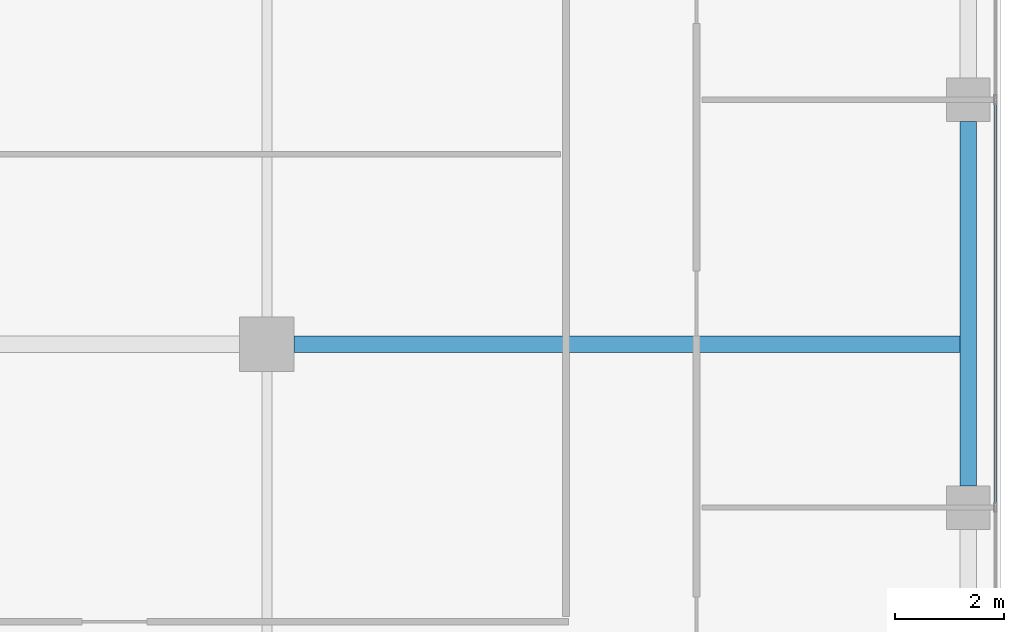
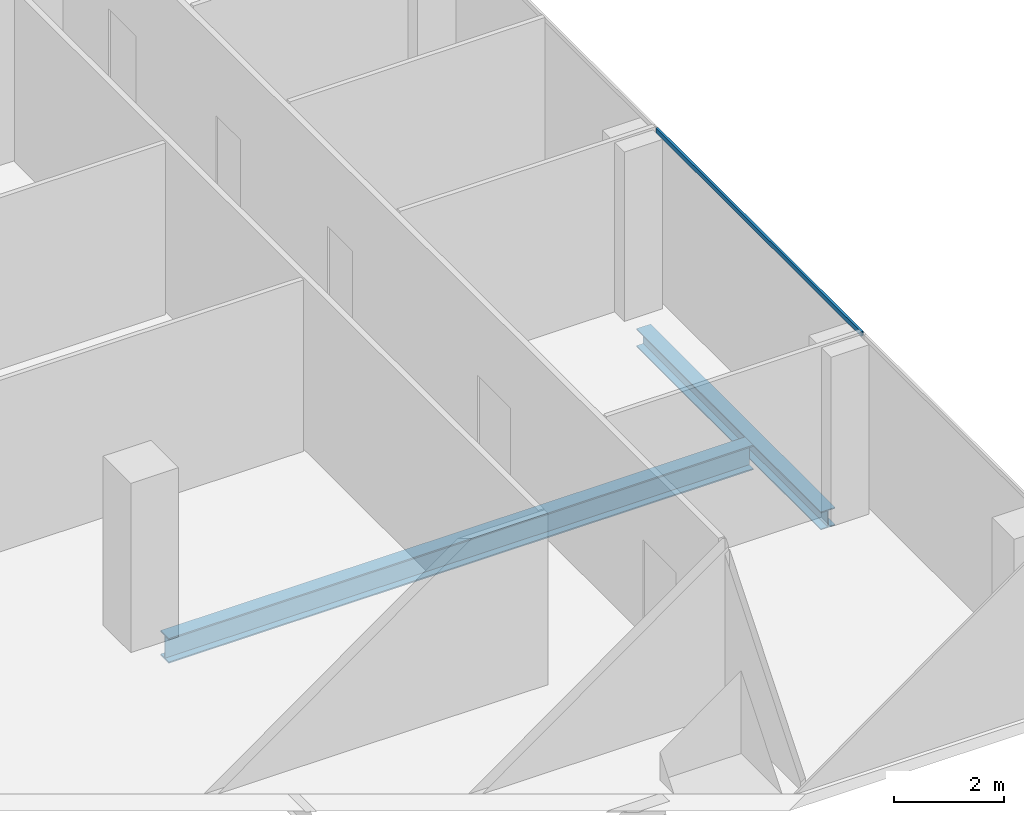
# One storey, part 10 of 29: 2 beams, 1 member, 1 element without a shape of its own.
"""IFC4 building model written with IfcOpenShell, lengths in metres."""

from ifc_helpers import new_model, si_unit, direction, frame, origin, origin_2d, place, context, subcontext, project, spatial, hollow_rectangle, i_section, extrude, source, transform, mapped, material, material_profile, profile_set, type_object, element, aggregate, save


model = new_model("IFC4")

# Units and contexts
model_context = context("Model", 3, precision=1e-05, world=origin(), true_north=direction((0.0, 1.0)))
body_context = subcontext(model_context, "Body", "Model", "MODEL_VIEW")
ifc_project = project(units=[si_unit("LENGTHUNIT", "METRE"), si_unit("AREAUNIT", "SQUARE_METRE"), si_unit("VOLUMEUNIT", "CUBIC_METRE"), si_unit("PLANEANGLEUNIT", "RADIAN"), si_unit("MASSUNIT", "GRAM", prefix="KILO")], contexts=[model_context])

# Site, building, storey
site_placement = place(None, origin())
site = spatial("IfcSite", under=ifc_project, at=site_placement, CompositionType="ELEMENT")
building_placement = place(site_placement, origin())
building = spatial("IfcBuilding", under=site, at=building_placement, Name="Khomas Fold Tower", CompositionType="ELEMENT")
storey_placement = place(building_placement, frame((0.0, 0.0, 314.199951171875)))
storey = spatial("IfcBuildingStorey", under=building, at=storey_placement, Name="L71", CompositionType="ELEMENT", Elevation=314.199951171875)

# Beams
ifc_material_1 = material(Name="Steel S355", Category="steel")
ifc_material_profile_1 = material_profile(ifc_material_1, i_section(OverallWidth=0.300048828125, OverallDepth=0.39990234375, WebThickness=0.013427734375, FlangeThickness=0.02392578125, at=origin_2d()), Name="HE 400 B")
ifc_profile_set_1 = profile_set([ifc_material_profile_1], Name="Steel S355")
beam_type_1 = type_object("IfcBeamType", Name="HE 400 B spandrel SB5", PredefinedType="SPANDREL", material=ifc_profile_set_1)
shared_shape_1 = source(origin(), body_context, "Body", "SweptSolid", [
    extrude(i_section(OverallWidth=0.300048828125, OverallDepth=0.39990234375, WebThickness=0.013427734375, FlangeThickness=0.02392578125, at=origin_2d()), origin(), (0.0, 0.0, 1.0), 6.7001953125),
])
beam_1_placement = place(storey_placement, frame((47.39990234375, 19.89990234375, -0.449951171875), z_axis=(0.0, 1.0, 0.0), x_axis=(-1.0, 0.0, 0.0)))
element("IfcBeam", 1, at=beam_1_placement, inside=storey, type_object=beam_type_1, Name="SB5", PredefinedType="SPANDREL", context=body_context, shape_type="MappedRepresentation", body=[
    mapped(shared_shape_1, transform((0.0, 0.0, 0.0))),
])
ifc_material_2 = material(Name="Steel S355", Category="steel")
ifc_material_profile_2 = material_profile(ifc_material_2, i_section(OverallWidth=0.300048828125, OverallDepth=0.550048828125, WebThickness=0.014892578125, FlangeThickness=0.029052734375, at=origin_2d()), Name="HE 550 B")
ifc_profile_set_2 = profile_set([ifc_material_profile_2], Name="Steel S355")
beam_type_2 = type_object("IfcBeamType", Name="HE 550 B beam GB4", PredefinedType="BEAM", material=ifc_profile_set_2)
shared_shape_2 = source(origin(), body_context, "Body", "SweptSolid", [
    extrude(i_section(OverallWidth=0.300048828125, OverallDepth=0.550048828125, WebThickness=0.014892578125, FlangeThickness=0.029052734375, at=origin_2d()), origin(), (0.0, 0.0, 1.0), 12.25),
])
beam_2_placement = place(storey_placement, frame((35.0, 22.5, -0.52490234375), z_axis=(1.0, 0.0, 0.0), x_axis=(0.0, 1.0, 0.0)))
element("IfcBeam", 2, at=beam_2_placement, inside=storey, type_object=beam_type_2, Name="GB4", PredefinedType="BEAM", context=body_context, shape_type="MappedRepresentation", body=[
    mapped(shared_shape_2, transform((0.0, 0.0, 0.0))),
])

# Curtain wall, member
ifc_material_3 = material(Name="Aluminium framed double glazing", Category="aluminium")
curtain_wall_type = type_object("IfcCurtainWallType", Name="SK-Unitised clear-glass wall, upper floors CW3", PredefinedType="NOTDEFINED", material=ifc_material_3)
curtain_wall_placement = place(storey_placement, origin())
curtain_wall = element("IfcCurtainWall", 3, at=curtain_wall_placement, inside=storey, type_object=curtain_wall_type, Name="CW3 run L71 03-0", PredefinedType="NOTDEFINED")
ifc_material_4 = material(Name="Aluminium", Category="aluminium")
ifc_material_profile_3 = material_profile(ifc_material_4, hollow_rectangle(XDim=0.050048828125, YDim=0.10009765625, WallThickness=0.00390625, at=origin_2d()), Name="SK-Unitised clear-glass wall, upper floors transom CW3-T")
ifc_profile_set_3 = profile_set([ifc_material_profile_3], Name="Aluminium")
member_type = type_object("IfcMemberType", Name="SK-Unitised clear-glass wall, upper floors transom CW3-T", PredefinedType="USERDEFINED", material=ifc_profile_set_3)
shared_shape_3 = source(origin(), body_context, "Body", "SweptSolid", [
    extrude(hollow_rectangle(XDim=0.050048828125, YDim=0.10009765625, WallThickness=0.00390625, at=origin_2d()), origin(), (0.0, 0.0, 1.0), 7.4501953125),
])
member_placement = place(storey_placement, frame((47.89990234375, 19.52490234375, 3.699951171875), z_axis=(0.0, 1.0, 0.0), x_axis=(-1.0, 0.0, 0.0)))
member = element("IfcMember", 4, at=member_placement, type_object=member_type, Name="CW3 transom 3", ObjectType="TRANSOM", PredefinedType="USERDEFINED", context=body_context, shape_type="MappedRepresentation", body=[
    mapped(shared_shape_3, transform((0.0, 0.0, 0.0))),
])
aggregate(curtain_wall, [member])

save(model, "model.ifc")
